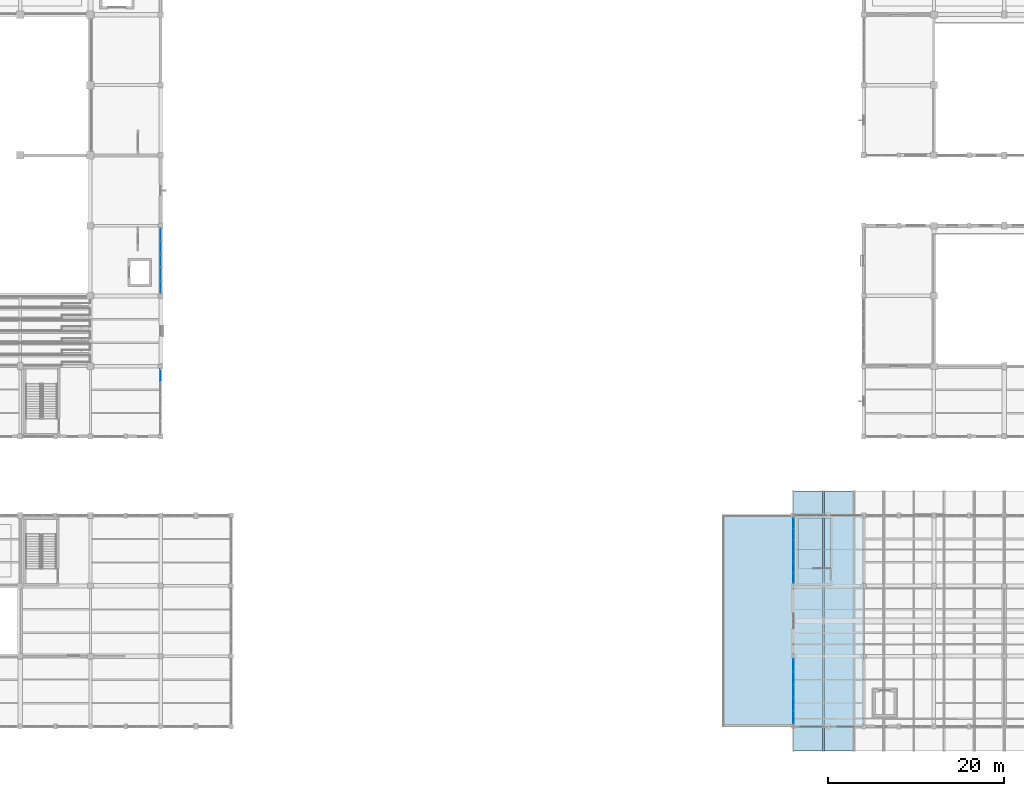
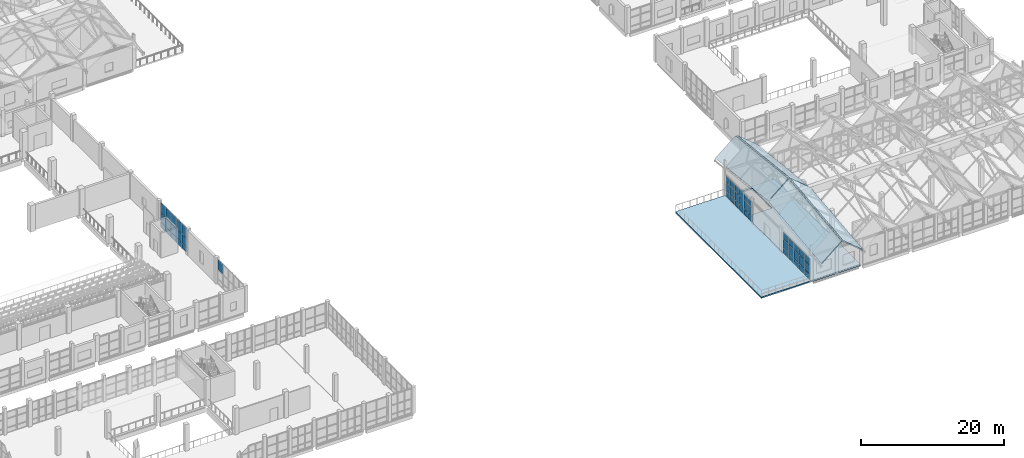
# One storey, part 121 of 183: 49 plates, 6 slabs, 4 elements without a shape of their own.
"""IFC4 building model written with IfcOpenShell, lengths in metres."""

from ifc_helpers import new_model, si_unit, direction, frame, origin, origin_2d, place, context, subcontext, project, spatial, polyline, rectangle, outline, extrude, material, layer, layer_set, type_object, element, aggregate, save


model = new_model("IFC4")

# Units and contexts
model_context = context("Model", 3, precision=1e-05, world=origin(), true_north=direction((0.0, 1.0)))
body_context = subcontext(model_context, "Body", "Model", "MODEL_VIEW")
ifc_project = project(units=[si_unit("LENGTHUNIT", "METRE"), si_unit("AREAUNIT", "SQUARE_METRE"), si_unit("VOLUMEUNIT", "CUBIC_METRE"), si_unit("PLANEANGLEUNIT", "RADIAN"), si_unit("MASSUNIT", "GRAM", prefix="KILO")], contexts=[model_context])

# Site, building, storey
site_placement = place(None, origin())
site = spatial("IfcSite", under=ifc_project, at=site_placement, CompositionType="ELEMENT")
building_placement = place(site_placement, origin())
building = spatial("IfcBuilding", under=site, at=building_placement, Name="Luwemba Playhouse", CompositionType="ELEMENT")
storey_placement = place(building_placement, frame((0.0, 0.0, 4.800048828125)))
storey = spatial("IfcBuildingStorey", under=building, at=storey_placement, Name="L01", CompositionType="ELEMENT", Elevation=4.800048828125)

# Curtain wall, plate
ifc_material_1 = material(Name="Solar-control double glazing", Category="glass")
curtain_wall_type_1 = type_object("IfcCurtainWallType", Name="CW-CW74", PredefinedType="USERDEFINED", material=ifc_material_1)
curtain_wall_1_placement = place(storey_placement, origin())
curtain_wall_1 = element("IfcCurtainWall", 1, at=curtain_wall_1_placement, inside=storey, type_object=curtain_wall_type_1, Name="L01 V1 unitised curtain wall 098", ObjectType="UNITISED GLAZING", PredefinedType="USERDEFINED")
ifc_layer_1 = layer(ifc_material_1, 0.02392578125)
ifc_layer_set_1 = layer_set([ifc_layer_1], Name="Solar-control double glazing")
plate_type_1 = type_object("IfcPlateType", Name="CWP-P1", PredefinedType="CURTAIN_PANEL", material=ifc_layer_set_1)
plate_1_placement = place(storey_placement, frame((52.0, 42.965087890625, 2.47998046875), z_axis=(0.0, 0.0, 1.0), x_axis=(0.0, -1.0, 0.0)))
plate_1 = element("IfcPlate", 2, at=plate_1_placement, type_object=plate_type_1, Name="CW74 panel 1.3", PredefinedType="CURTAIN_PANEL", context=body_context, shape_type="SweptSolid", body=[
    extrude(rectangle(XDim=1.39990234375, YDim=0.02392578125, at=origin_2d()), origin(), (0.0, 0.0, 1.0), 1.7099609375),
])
aggregate(curtain_wall_1, [plate_1])

# Curtain wall, plates
curtain_wall_type_2 = type_object("IfcCurtainWallType", Name="CW-CW116", PredefinedType="USERDEFINED", material=ifc_material_1)
curtain_wall_2_placement = place(storey_placement, origin())
curtain_wall_2 = element("IfcCurtainWall", 3, at=curtain_wall_2_placement, inside=storey, type_object=curtain_wall_type_2, Name="L01 V5E unitised curtain wall 154", ObjectType="UNITISED GLAZING", PredefinedType="USERDEFINED")
plate_2_placement = place(storey_placement, frame((124.0, 19.910888671875, 0.059814453125), z_axis=(0.0, 0.0, 1.0), x_axis=(0.0, 1.0, 0.0)))
plate_2 = element("IfcPlate", 4, at=plate_2_placement, type_object=plate_type_1, Name="CW116 panel 1.1", PredefinedType="CURTAIN_PANEL", context=body_context, shape_type="SweptSolid", body=[
    extrude(rectangle(XDim=1.151611328125, YDim=0.02392578125, at=origin_2d()), origin(), (0.0, 0.0, 1.0), 0.81005859375),
])
plate_3_placement = place(storey_placement, frame((124.0, 19.910888671875, 0.93017578125), z_axis=(0.0, 0.0, 1.0), x_axis=(0.0, 1.0, 0.0)))
plate_3 = element("IfcPlate", 5, at=plate_3_placement, type_object=plate_type_1, Name="CW116 panel 1.2", PredefinedType="CURTAIN_PANEL", context=body_context, shape_type="SweptSolid", body=[
    extrude(rectangle(XDim=1.151611328125, YDim=0.02392578125, at=origin_2d()), origin(), (0.0, 0.0, 1.0), 1.489990234375),
])
plate_4_placement = place(storey_placement, frame((124.0, 19.910888671875, 2.47998046875), z_axis=(0.0, 0.0, 1.0), x_axis=(0.0, 1.0, 0.0)))
plate_4 = element("IfcPlate", 6, at=plate_4_placement, type_object=plate_type_1, Name="CW116 panel 1.3", PredefinedType="CURTAIN_PANEL", context=body_context, shape_type="SweptSolid", body=[
    extrude(rectangle(XDim=1.151611328125, YDim=0.02392578125, at=origin_2d()), origin(), (0.0, 0.0, 1.0), 1.044921875),
])
plate_5_placement = place(storey_placement, frame((124.0, 21.137451171875, 0.059814453125), z_axis=(0.0, 0.0, 1.0), x_axis=(0.0, 1.0, 0.0)))
plate_5 = element("IfcPlate", 7, at=plate_5_placement, type_object=plate_type_1, Name="CW116 panel 2.1", PredefinedType="CURTAIN_PANEL", context=body_context, shape_type="SweptSolid", body=[
    extrude(rectangle(XDim=1.181640625, YDim=0.02392578125, at=origin_2d()), origin(), (0.0, 0.0, 1.0), 0.81005859375),
])
plate_6_placement = place(storey_placement, frame((124.0, 21.137451171875, 0.93017578125), z_axis=(0.0, 0.0, 1.0), x_axis=(0.0, 1.0, 0.0)))
plate_6 = element("IfcPlate", 8, at=plate_6_placement, type_object=plate_type_1, Name="CW116 panel 2.2", PredefinedType="CURTAIN_PANEL", context=body_context, shape_type="SweptSolid", body=[
    extrude(rectangle(XDim=1.181640625, YDim=0.02392578125, at=origin_2d()), origin(), (0.0, 0.0, 1.0), 1.489990234375),
])
plate_7_placement = place(storey_placement, frame((124.0, 21.137451171875, 2.47998046875), z_axis=(0.0, 0.0, 1.0), x_axis=(0.0, 1.0, 0.0)))
plate_7 = element("IfcPlate", 9, at=plate_7_placement, type_object=plate_type_1, Name="CW116 panel 2.3", PredefinedType="CURTAIN_PANEL", context=body_context, shape_type="SweptSolid", body=[
    extrude(rectangle(XDim=1.181640625, YDim=0.02392578125, at=origin_2d()), origin(), (0.0, 0.0, 1.0), 1.044921875),
])
plate_8_placement = place(storey_placement, frame((124.0, 22.379150390625, 0.059814453125), z_axis=(0.0, 0.0, 1.0), x_axis=(0.0, 1.0, 0.0)))
plate_8 = element("IfcPlate", 10, at=plate_8_placement, type_object=plate_type_1, Name="CW116 panel 3.1", PredefinedType="CURTAIN_PANEL", context=body_context, shape_type="SweptSolid", body=[
    extrude(rectangle(XDim=1.181640625, YDim=0.02392578125, at=origin_2d()), origin(), (0.0, 0.0, 1.0), 0.81005859375),
])
plate_9_placement = place(storey_placement, frame((124.0, 22.379150390625, 0.93017578125), z_axis=(0.0, 0.0, 1.0), x_axis=(0.0, 1.0, 0.0)))
plate_9 = element("IfcPlate", 11, at=plate_9_placement, type_object=plate_type_1, Name="CW116 panel 3.2", PredefinedType="CURTAIN_PANEL", context=body_context, shape_type="SweptSolid", body=[
    extrude(rectangle(XDim=1.181640625, YDim=0.02392578125, at=origin_2d()), origin(), (0.0, 0.0, 1.0), 1.489990234375),
])
plate_10_placement = place(storey_placement, frame((124.0, 22.379150390625, 2.47998046875), z_axis=(0.0, 0.0, 1.0), x_axis=(0.0, 1.0, 0.0)))
plate_10 = element("IfcPlate", 12, at=plate_10_placement, type_object=plate_type_1, Name="CW116 panel 3.3", PredefinedType="CURTAIN_PANEL", context=body_context, shape_type="SweptSolid", body=[
    extrude(rectangle(XDim=1.181640625, YDim=0.02392578125, at=origin_2d()), origin(), (0.0, 0.0, 1.0), 1.044921875),
])
plate_11_placement = place(storey_placement, frame((124.0, 23.620849609375, 0.059814453125), z_axis=(0.0, 0.0, 1.0), x_axis=(0.0, 1.0, 0.0)))
plate_11 = element("IfcPlate", 13, at=plate_11_placement, type_object=plate_type_1, Name="CW116 panel 4.1", PredefinedType="CURTAIN_PANEL", context=body_context, shape_type="SweptSolid", body=[
    extrude(rectangle(XDim=1.181640625, YDim=0.02392578125, at=origin_2d()), origin(), (0.0, 0.0, 1.0), 0.81005859375),
])
plate_12_placement = place(storey_placement, frame((124.0, 23.620849609375, 0.93017578125), z_axis=(0.0, 0.0, 1.0), x_axis=(0.0, 1.0, 0.0)))
plate_12 = element("IfcPlate", 14, at=plate_12_placement, type_object=plate_type_1, Name="CW116 panel 4.2", PredefinedType="CURTAIN_PANEL", context=body_context, shape_type="SweptSolid", body=[
    extrude(rectangle(XDim=1.181640625, YDim=0.02392578125, at=origin_2d()), origin(), (0.0, 0.0, 1.0), 1.489990234375),
])
plate_13_placement = place(storey_placement, frame((124.0, 23.620849609375, 2.47998046875), z_axis=(0.0, 0.0, 1.0), x_axis=(0.0, 1.0, 0.0)))
plate_13 = element("IfcPlate", 15, at=plate_13_placement, type_object=plate_type_1, Name="CW116 panel 4.3", PredefinedType="CURTAIN_PANEL", context=body_context, shape_type="SweptSolid", body=[
    extrude(rectangle(XDim=1.181640625, YDim=0.02392578125, at=origin_2d()), origin(), (0.0, 0.0, 1.0), 1.044921875),
])
plate_14_placement = place(storey_placement, frame((124.0, 24.862548828125, 0.059814453125), z_axis=(0.0, 0.0, 1.0), x_axis=(0.0, 1.0, 0.0)))
plate_14 = element("IfcPlate", 16, at=plate_14_placement, type_object=plate_type_1, Name="CW116 panel 5.1", PredefinedType="CURTAIN_PANEL", context=body_context, shape_type="SweptSolid", body=[
    extrude(rectangle(XDim=1.181640625, YDim=0.02392578125, at=origin_2d()), origin(), (0.0, 0.0, 1.0), 0.81005859375),
])
plate_15_placement = place(storey_placement, frame((124.0, 24.862548828125, 0.93017578125), z_axis=(0.0, 0.0, 1.0), x_axis=(0.0, 1.0, 0.0)))
plate_15 = element("IfcPlate", 17, at=plate_15_placement, type_object=plate_type_1, Name="CW116 panel 5.2", PredefinedType="CURTAIN_PANEL", context=body_context, shape_type="SweptSolid", body=[
    extrude(rectangle(XDim=1.181640625, YDim=0.02392578125, at=origin_2d()), origin(), (0.0, 0.0, 1.0), 1.489990234375),
])
plate_16_placement = place(storey_placement, frame((124.0, 24.862548828125, 2.47998046875), z_axis=(0.0, 0.0, 1.0), x_axis=(0.0, 1.0, 0.0)))
plate_16 = element("IfcPlate", 18, at=plate_16_placement, type_object=plate_type_1, Name="CW116 panel 5.3", PredefinedType="CURTAIN_PANEL", context=body_context, shape_type="SweptSolid", body=[
    extrude(rectangle(XDim=1.181640625, YDim=0.02392578125, at=origin_2d()), origin(), (0.0, 0.0, 1.0), 1.044921875),
])
plate_17_placement = place(storey_placement, frame((124.0, 26.089111328125, 0.059814453125), z_axis=(0.0, 0.0, 1.0), x_axis=(0.0, 1.0, 0.0)))
plate_17 = element("IfcPlate", 19, at=plate_17_placement, type_object=plate_type_1, Name="CW116 panel 6.1", PredefinedType="CURTAIN_PANEL", context=body_context, shape_type="SweptSolid", body=[
    extrude(rectangle(XDim=1.151611328125, YDim=0.02392578125, at=origin_2d()), origin(), (0.0, 0.0, 1.0), 0.81005859375),
])
plate_18_placement = place(storey_placement, frame((124.0, 26.089111328125, 0.93017578125), z_axis=(0.0, 0.0, 1.0), x_axis=(0.0, 1.0, 0.0)))
plate_18 = element("IfcPlate", 20, at=plate_18_placement, type_object=plate_type_1, Name="CW116 panel 6.2", PredefinedType="CURTAIN_PANEL", context=body_context, shape_type="SweptSolid", body=[
    extrude(rectangle(XDim=1.151611328125, YDim=0.02392578125, at=origin_2d()), origin(), (0.0, 0.0, 1.0), 1.489990234375),
])
plate_19_placement = place(storey_placement, frame((124.0, 26.089111328125, 2.47998046875), z_axis=(0.0, 0.0, 1.0), x_axis=(0.0, 1.0, 0.0)))
plate_19 = element("IfcPlate", 21, at=plate_19_placement, type_object=plate_type_1, Name="CW116 panel 6.3", PredefinedType="CURTAIN_PANEL", context=body_context, shape_type="SweptSolid", body=[
    extrude(rectangle(XDim=1.151611328125, YDim=0.02392578125, at=origin_2d()), origin(), (0.0, 0.0, 1.0), 1.044921875),
])
aggregate(curtain_wall_2, [plate_2, plate_3, plate_4, plate_5, plate_6, plate_7, plate_8, plate_9, plate_10, plate_11, plate_12, plate_13, plate_14, plate_15, plate_16, plate_17, plate_18, plate_19])

curtain_wall_type_3 = type_object("IfcCurtainWallType", Name="CW-CW73", PredefinedType="USERDEFINED", material=ifc_material_1)
curtain_wall_3_placement = place(storey_placement, origin())
curtain_wall_3 = element("IfcCurtainWall", 22, at=curtain_wall_3_placement, inside=storey, type_object=curtain_wall_type_3, Name="L01 V1 unitised curtain wall 097", ObjectType="UNITISED GLAZING", PredefinedType="USERDEFINED")
ifc_layer_2 = layer(ifc_material_1, 0.035888671875)
ifc_layer_set_2 = layer_set([ifc_layer_2], Name="Solar-control double glazing")
plate_type_2 = type_object("IfcPlateType", Name="CWP-P4", PredefinedType="CURTAIN_PANEL", material=ifc_layer_set_2)
plate_20_placement = place(storey_placement, frame((52.0, 58.96240234375, 0.0498046875), z_axis=(0.0, 0.0, 1.0), x_axis=(0.0, -1.0, 0.0)))
plate_20 = element("IfcPlate", 23, at=plate_20_placement, type_object=plate_type_2, Name="CW73 panel 1.1", PredefinedType="CURTAIN_PANEL", context=body_context, shape_type="SweptSolid", body=[
    extrude(rectangle(XDim=1.385009765625, YDim=0.035888671875, at=origin_2d()), origin(), (0.0, 0.0, 1.0), 0.824951171875),
])
plate_21_placement = place(storey_placement, frame((52.0, 58.96240234375, 0.925048828125), z_axis=(0.0, 0.0, 1.0), x_axis=(0.0, -1.0, 0.0)))
plate_21 = element("IfcPlate", 24, at=plate_21_placement, type_object=plate_type_2, Name="CW73 panel 1.2", PredefinedType="CURTAIN_PANEL", context=body_context, shape_type="SweptSolid", body=[
    extrude(rectangle(XDim=1.385009765625, YDim=0.035888671875, at=origin_2d()), origin(), (0.0, 0.0, 1.0), 1.5),
])
plate_22_placement = place(storey_placement, frame((52.0, 58.96240234375, 2.474853515625), z_axis=(0.0, 0.0, 1.0), x_axis=(0.0, -1.0, 0.0)))
plate_22 = element("IfcPlate", 25, at=plate_22_placement, type_object=plate_type_2, Name="CW73 panel 1.3", PredefinedType="CURTAIN_PANEL", context=body_context, shape_type="SweptSolid", body=[
    extrude(rectangle(XDim=1.385009765625, YDim=0.035888671875, at=origin_2d()), origin(), (0.0, 0.0, 1.0), 1.72509765625),
])
plate_23_placement = place(storey_placement, frame((52.0, 57.489990234375, 0.0498046875), z_axis=(0.0, 0.0, 1.0), x_axis=(0.0, -1.0, 0.0)))
plate_23 = element("IfcPlate", 26, at=plate_23_placement, type_object=plate_type_2, Name="CW73 panel 2.1", PredefinedType="CURTAIN_PANEL", context=body_context, shape_type="SweptSolid", body=[
    extrude(rectangle(XDim=1.419921875, YDim=0.035888671875, at=origin_2d()), origin(), (0.0, 0.0, 1.0), 0.824951171875),
])
plate_24_placement = place(storey_placement, frame((52.0, 57.489990234375, 0.925048828125), z_axis=(0.0, 0.0, 1.0), x_axis=(0.0, -1.0, 0.0)))
plate_24 = element("IfcPlate", 27, at=plate_24_placement, type_object=plate_type_2, Name="CW73 panel 2.2", PredefinedType="CURTAIN_PANEL", context=body_context, shape_type="SweptSolid", body=[
    extrude(rectangle(XDim=1.419921875, YDim=0.035888671875, at=origin_2d()), origin(), (0.0, 0.0, 1.0), 1.5),
])
plate_25_placement = place(storey_placement, frame((52.0, 57.489990234375, 2.474853515625), z_axis=(0.0, 0.0, 1.0), x_axis=(0.0, -1.0, 0.0)))
plate_25 = element("IfcPlate", 28, at=plate_25_placement, type_object=plate_type_2, Name="CW73 panel 2.3", PredefinedType="CURTAIN_PANEL", context=body_context, shape_type="SweptSolid", body=[
    extrude(rectangle(XDim=1.419921875, YDim=0.035888671875, at=origin_2d()), origin(), (0.0, 0.0, 1.0), 1.72509765625),
])
plate_26_placement = place(storey_placement, frame((52.0, 56.0, 0.0498046875), z_axis=(0.0, 0.0, 1.0), x_axis=(0.0, -1.0, 0.0)))
plate_26 = element("IfcPlate", 29, at=plate_26_placement, type_object=plate_type_2, Name="CW73 panel 3.1", PredefinedType="CURTAIN_PANEL", context=body_context, shape_type="SweptSolid", body=[
    extrude(rectangle(XDim=1.419921875, YDim=0.035888671875, at=origin_2d()), origin(), (0.0, 0.0, 1.0), 0.824951171875),
])
plate_27_placement = place(storey_placement, frame((52.0, 56.0, 0.925048828125), z_axis=(0.0, 0.0, 1.0), x_axis=(0.0, -1.0, 0.0)))
plate_27 = element("IfcPlate", 30, at=plate_27_placement, type_object=plate_type_2, Name="CW73 panel 3.2", PredefinedType="CURTAIN_PANEL", context=body_context, shape_type="SweptSolid", body=[
    extrude(rectangle(XDim=1.419921875, YDim=0.035888671875, at=origin_2d()), origin(), (0.0, 0.0, 1.0), 1.5),
])
plate_28_placement = place(storey_placement, frame((52.0, 56.0, 2.474853515625), z_axis=(0.0, 0.0, 1.0), x_axis=(0.0, -1.0, 0.0)))
plate_28 = element("IfcPlate", 31, at=plate_28_placement, type_object=plate_type_2, Name="CW73 panel 3.3", PredefinedType="CURTAIN_PANEL", context=body_context, shape_type="SweptSolid", body=[
    extrude(rectangle(XDim=1.419921875, YDim=0.035888671875, at=origin_2d()), origin(), (0.0, 0.0, 1.0), 1.72509765625),
])
plate_29_placement = place(storey_placement, frame((52.0, 54.510009765625, 0.0498046875), z_axis=(0.0, 0.0, 1.0), x_axis=(0.0, -1.0, 0.0)))
plate_29 = element("IfcPlate", 32, at=plate_29_placement, type_object=plate_type_2, Name="CW73 panel 4.1", PredefinedType="CURTAIN_PANEL", context=body_context, shape_type="SweptSolid", body=[
    extrude(rectangle(XDim=1.419921875, YDim=0.035888671875, at=origin_2d()), origin(), (0.0, 0.0, 1.0), 0.824951171875),
])
plate_30_placement = place(storey_placement, frame((52.0, 54.510009765625, 0.925048828125), z_axis=(0.0, 0.0, 1.0), x_axis=(0.0, -1.0, 0.0)))
plate_30 = element("IfcPlate", 33, at=plate_30_placement, type_object=plate_type_2, Name="CW73 panel 4.2", PredefinedType="CURTAIN_PANEL", context=body_context, shape_type="SweptSolid", body=[
    extrude(rectangle(XDim=1.419921875, YDim=0.035888671875, at=origin_2d()), origin(), (0.0, 0.0, 1.0), 1.5),
])
plate_31_placement = place(storey_placement, frame((52.0, 54.510009765625, 2.474853515625), z_axis=(0.0, 0.0, 1.0), x_axis=(0.0, -1.0, 0.0)))
plate_31 = element("IfcPlate", 34, at=plate_31_placement, type_object=plate_type_2, Name="CW73 panel 4.3", PredefinedType="CURTAIN_PANEL", context=body_context, shape_type="SweptSolid", body=[
    extrude(rectangle(XDim=1.419921875, YDim=0.035888671875, at=origin_2d()), origin(), (0.0, 0.0, 1.0), 1.72509765625),
])
plate_32_placement = place(storey_placement, frame((52.0, 53.03759765625, 0.0498046875), z_axis=(0.0, 0.0, 1.0), x_axis=(0.0, -1.0, 0.0)))
plate_32 = element("IfcPlate", 35, at=plate_32_placement, type_object=plate_type_2, Name="CW73 panel 5.1", PredefinedType="CURTAIN_PANEL", context=body_context, shape_type="SweptSolid", body=[
    extrude(rectangle(XDim=1.385009765625, YDim=0.035888671875, at=origin_2d()), origin(), (0.0, 0.0, 1.0), 0.824951171875),
])
plate_33_placement = place(storey_placement, frame((52.0, 53.03759765625, 0.925048828125), z_axis=(0.0, 0.0, 1.0), x_axis=(0.0, -1.0, 0.0)))
plate_33 = element("IfcPlate", 36, at=plate_33_placement, type_object=plate_type_2, Name="CW73 panel 5.2", PredefinedType="CURTAIN_PANEL", context=body_context, shape_type="SweptSolid", body=[
    extrude(rectangle(XDim=1.385009765625, YDim=0.035888671875, at=origin_2d()), origin(), (0.0, 0.0, 1.0), 1.5),
])
plate_34_placement = place(storey_placement, frame((52.0, 53.03759765625, 2.474853515625), z_axis=(0.0, 0.0, 1.0), x_axis=(0.0, -1.0, 0.0)))
plate_34 = element("IfcPlate", 37, at=plate_34_placement, type_object=plate_type_2, Name="CW73 panel 5.3", PredefinedType="CURTAIN_PANEL", context=body_context, shape_type="SweptSolid", body=[
    extrude(rectangle(XDim=1.385009765625, YDim=0.035888671875, at=origin_2d()), origin(), (0.0, 0.0, 1.0), 1.72509765625),
])
aggregate(curtain_wall_3, [plate_20, plate_21, plate_22, plate_23, plate_24, plate_25, plate_26, plate_27, plate_28, plate_29, plate_30, plate_31, plate_32, plate_33, plate_34])

curtain_wall_type_4 = type_object("IfcCurtainWallType", Name="CW-CW115", PredefinedType="USERDEFINED", material=ifc_material_1)
curtain_wall_4_placement = place(storey_placement, origin())
curtain_wall_4 = element("IfcCurtainWall", 38, at=curtain_wall_4_placement, inside=storey, type_object=curtain_wall_type_4, Name="L01 V5E unitised curtain wall 153", ObjectType="UNITISED GLAZING", PredefinedType="USERDEFINED")
plate_35_placement = place(storey_placement, frame((124.0, 4.06005859375, 0.0498046875), z_axis=(0.0, 0.0, 1.0), x_axis=(0.0, 1.0, 0.0)))
plate_35 = element("IfcPlate", 39, at=plate_35_placement, type_object=plate_type_2, Name="CW115 panel 1.1", PredefinedType="CURTAIN_PANEL", context=body_context, shape_type="SweptSolid", body=[
    extrude(rectangle(XDim=1.3798828125, YDim=0.035888671875, at=origin_2d()), origin(), (0.0, 0.0, 1.0), 0.824951171875),
])
plate_36_placement = place(storey_placement, frame((124.0, 4.06005859375, 0.925048828125), z_axis=(0.0, 0.0, 1.0), x_axis=(0.0, 1.0, 0.0)))
plate_36 = element("IfcPlate", 40, at=plate_36_placement, type_object=plate_type_2, Name="CW115 panel 1.2", PredefinedType="CURTAIN_PANEL", context=body_context, shape_type="SweptSolid", body=[
    extrude(rectangle(XDim=1.3798828125, YDim=0.035888671875, at=origin_2d()), origin(), (0.0, 0.0, 1.0), 1.5),
])
plate_37_placement = place(storey_placement, frame((124.0, 4.06005859375, 2.474853515625), z_axis=(0.0, 0.0, 1.0), x_axis=(0.0, 1.0, 0.0)))
plate_37 = element("IfcPlate", 41, at=plate_37_placement, type_object=plate_type_2, Name="CW115 panel 1.3", PredefinedType="CURTAIN_PANEL", context=body_context, shape_type="SweptSolid", body=[
    extrude(rectangle(XDim=1.3798828125, YDim=0.035888671875, at=origin_2d()), origin(), (0.0, 0.0, 1.0), 1.06005859375),
])
plate_38_placement = place(storey_placement, frame((124.0, 5.527587890625, 0.0498046875), z_axis=(0.0, 0.0, 1.0), x_axis=(0.0, 1.0, 0.0)))
plate_38 = element("IfcPlate", 42, at=plate_38_placement, type_object=plate_type_2, Name="CW115 panel 2.1", PredefinedType="CURTAIN_PANEL", context=body_context, shape_type="SweptSolid", body=[
    extrude(rectangle(XDim=1.4150390625, YDim=0.035888671875, at=origin_2d()), origin(), (0.0, 0.0, 1.0), 0.824951171875),
])
plate_39_placement = place(storey_placement, frame((124.0, 5.527587890625, 0.925048828125), z_axis=(0.0, 0.0, 1.0), x_axis=(0.0, 1.0, 0.0)))
plate_39 = element("IfcPlate", 43, at=plate_39_placement, type_object=plate_type_2, Name="CW115 panel 2.2", PredefinedType="CURTAIN_PANEL", context=body_context, shape_type="SweptSolid", body=[
    extrude(rectangle(XDim=1.4150390625, YDim=0.035888671875, at=origin_2d()), origin(), (0.0, 0.0, 1.0), 1.5),
])
plate_40_placement = place(storey_placement, frame((124.0, 5.527587890625, 2.474853515625), z_axis=(0.0, 0.0, 1.0), x_axis=(0.0, 1.0, 0.0)))
plate_40 = element("IfcPlate", 44, at=plate_40_placement, type_object=plate_type_2, Name="CW115 panel 2.3", PredefinedType="CURTAIN_PANEL", context=body_context, shape_type="SweptSolid", body=[
    extrude(rectangle(XDim=1.4150390625, YDim=0.035888671875, at=origin_2d()), origin(), (0.0, 0.0, 1.0), 1.06005859375),
])
plate_41_placement = place(storey_placement, frame((124.0, 7.012451171875, 0.0498046875), z_axis=(0.0, 0.0, 1.0), x_axis=(0.0, 1.0, 0.0)))
plate_41 = element("IfcPlate", 45, at=plate_41_placement, type_object=plate_type_2, Name="CW115 panel 3.1", PredefinedType="CURTAIN_PANEL", context=body_context, shape_type="SweptSolid", body=[
    extrude(rectangle(XDim=1.4150390625, YDim=0.035888671875, at=origin_2d()), origin(), (0.0, 0.0, 1.0), 0.824951171875),
])
plate_42_placement = place(storey_placement, frame((124.0, 7.012451171875, 0.925048828125), z_axis=(0.0, 0.0, 1.0), x_axis=(0.0, 1.0, 0.0)))
plate_42 = element("IfcPlate", 46, at=plate_42_placement, type_object=plate_type_2, Name="CW115 panel 3.2", PredefinedType="CURTAIN_PANEL", context=body_context, shape_type="SweptSolid", body=[
    extrude(rectangle(XDim=1.4150390625, YDim=0.035888671875, at=origin_2d()), origin(), (0.0, 0.0, 1.0), 1.5),
])
plate_43_placement = place(storey_placement, frame((124.0, 7.012451171875, 2.474853515625), z_axis=(0.0, 0.0, 1.0), x_axis=(0.0, 1.0, 0.0)))
plate_43 = element("IfcPlate", 47, at=plate_43_placement, type_object=plate_type_2, Name="CW115 panel 3.3", PredefinedType="CURTAIN_PANEL", context=body_context, shape_type="SweptSolid", body=[
    extrude(rectangle(XDim=1.4150390625, YDim=0.035888671875, at=origin_2d()), origin(), (0.0, 0.0, 1.0), 1.06005859375),
])
plate_44_placement = place(storey_placement, frame((124.0, 8.49755859375, 0.0498046875), z_axis=(0.0, 0.0, 1.0), x_axis=(0.0, 1.0, 0.0)))
plate_44 = element("IfcPlate", 48, at=plate_44_placement, type_object=plate_type_2, Name="CW115 panel 4.1", PredefinedType="CURTAIN_PANEL", context=body_context, shape_type="SweptSolid", body=[
    extrude(rectangle(XDim=1.4150390625, YDim=0.035888671875, at=origin_2d()), origin(), (0.0, 0.0, 1.0), 0.824951171875),
])
plate_45_placement = place(storey_placement, frame((124.0, 8.49755859375, 0.925048828125), z_axis=(0.0, 0.0, 1.0), x_axis=(0.0, 1.0, 0.0)))
plate_45 = element("IfcPlate", 49, at=plate_45_placement, type_object=plate_type_2, Name="CW115 panel 4.2", PredefinedType="CURTAIN_PANEL", context=body_context, shape_type="SweptSolid", body=[
    extrude(rectangle(XDim=1.4150390625, YDim=0.035888671875, at=origin_2d()), origin(), (0.0, 0.0, 1.0), 1.5),
])
plate_46_placement = place(storey_placement, frame((124.0, 8.49755859375, 2.474853515625), z_axis=(0.0, 0.0, 1.0), x_axis=(0.0, 1.0, 0.0)))
plate_46 = element("IfcPlate", 50, at=plate_46_placement, type_object=plate_type_2, Name="CW115 panel 4.3", PredefinedType="CURTAIN_PANEL", context=body_context, shape_type="SweptSolid", body=[
    extrude(rectangle(XDim=1.4150390625, YDim=0.035888671875, at=origin_2d()), origin(), (0.0, 0.0, 1.0), 1.06005859375),
])
plate_47_placement = place(storey_placement, frame((124.0, 9.965087890625, 0.0498046875), z_axis=(0.0, 0.0, 1.0), x_axis=(0.0, 1.0, 0.0)))
plate_47 = element("IfcPlate", 51, at=plate_47_placement, type_object=plate_type_2, Name="CW115 panel 5.1", PredefinedType="CURTAIN_PANEL", context=body_context, shape_type="SweptSolid", body=[
    extrude(rectangle(XDim=1.3798828125, YDim=0.035888671875, at=origin_2d()), origin(), (0.0, 0.0, 1.0), 0.824951171875),
])
plate_48_placement = place(storey_placement, frame((124.0, 9.965087890625, 0.925048828125), z_axis=(0.0, 0.0, 1.0), x_axis=(0.0, 1.0, 0.0)))
plate_48 = element("IfcPlate", 52, at=plate_48_placement, type_object=plate_type_2, Name="CW115 panel 5.2", PredefinedType="CURTAIN_PANEL", context=body_context, shape_type="SweptSolid", body=[
    extrude(rectangle(XDim=1.3798828125, YDim=0.035888671875, at=origin_2d()), origin(), (0.0, 0.0, 1.0), 1.5),
])
plate_49_placement = place(storey_placement, frame((124.0, 9.965087890625, 2.474853515625), z_axis=(0.0, 0.0, 1.0), x_axis=(0.0, 1.0, 0.0)))
plate_49 = element("IfcPlate", 53, at=plate_49_placement, type_object=plate_type_2, Name="CW115 panel 5.3", PredefinedType="CURTAIN_PANEL", context=body_context, shape_type="SweptSolid", body=[
    extrude(rectangle(XDim=1.3798828125, YDim=0.035888671875, at=origin_2d()), origin(), (0.0, 0.0, 1.0), 1.06005859375),
])
aggregate(curtain_wall_4, [plate_35, plate_36, plate_37, plate_38, plate_39, plate_40, plate_41, plate_42, plate_43, plate_44, plate_45, plate_46, plate_47, plate_48, plate_49])

# Slabs
ifc_material_2 = material(Name="Concrete C40/50", Category="concrete")
ifc_layer_3 = layer(ifc_material_2, 0.25)
ifc_layer_set_3 = layer_set([ifc_layer_3], Name="Concrete C40/50")
slab_type_1 = type_object("IfcSlabType", Name="SLB-FLR-250", PredefinedType="FLOOR", material=ifc_layer_set_3)
slab_1_placement = place(storey_placement, frame((0.0, 0.0, -0.25)))
element("IfcSlab", 54, at=slab_1_placement, inside=storey, type_object=slab_type_1, Name="L01 V5E structural floor slab-MJ", PredefinedType="FLOOR", context=body_context, shape_type="SweptSolid", body=[
    extrude(outline(polyline([(131.969970703125, 27.0), (131.969970703125, 3.0), (124.0, 3.0), (124.0, 27.0), (131.969970703125, 27.0)]), holes=[polyline([(128.14990234375, 21.0400390625), (128.14990234375, 26.659912109375), (124.64990234375, 26.659912109375), (124.64990234375, 21.0400390625), (128.14990234375, 21.0400390625)])]), origin(), (0.0, 0.0, 1.0), 0.25),
])
ifc_material_3 = material(Name="Concrete C32/40", Category="concrete")
ifc_layer_4 = layer(ifc_material_3, 0.179931640625)
ifc_layer_set_4 = layer_set([ifc_layer_4], Name="Concrete C32/40")
slab_type_2 = type_object("IfcSlabType", Name="SLB-ROOF-180", PredefinedType="ROOF", material=ifc_layer_set_4)
slab_2_placement = place(storey_placement, frame((124.0400390625, 0.199951171875, 4.57958984375), z_axis=(-0.637697209922, -0.085736098024, 0.765500875214), x_axis=(0.76832995697, 0.0, 0.640053964304)))
element("IfcSlab", 55, at=slab_2_placement, inside=storey, type_object=slab_type_2, Name="RF-V5E pleated roof facet 1S", PredefinedType="ROOF", context=body_context, shape_type="SweptSolid", body=[
    extrude(outline(polyline([(0.0, 0.0), (4.234719835999197, 0.0), (5.291371424531113, 14.794465204698161), (1.0566515885319163, 14.794465204698161), (0.0, 0.0)])), origin(), (0.0, 0.0, -1.0), 0.179931640625),
])
slab_3_placement = place(storey_placement, frame((124.0400390625, 15.06005859375, 6.23046875), z_axis=(-0.637697209922, 0.085736098024, 0.765500875214), x_axis=(0.76832995697, 0.0, 0.640053964304)))
element("IfcSlab", 56, at=slab_3_placement, inside=storey, type_object=slab_type_2, Name="RF-V5E pleated roof facet 1N", PredefinedType="ROOF", context=body_context, shape_type="SweptSolid", body=[
    extrude(outline(polyline([(0.0, 0.0), (4.234719835999197, 0.0), (3.17806824746728, 14.794465204698161), (-1.0566515885319163, 14.794465204698161), (0.0, 0.0)])), origin(), (0.0, 0.0, -1.0), 0.179931640625),
])
slab_4_placement = place(storey_placement, frame((127.563720703125, 0.199951171875, 7.289794921875), z_axis=(0.637674129962, -0.085744485828, 0.765519161829), x_axis=(0.768348763604, -1.892269e-06, -0.640031387875)))
element("IfcSlab", 57, at=slab_4_placement, inside=storey, type_object=slab_type_2, Name="RF-V5E pleated roof facet 2S", PredefinedType="ROOF", context=body_context, shape_type="SweptSolid", body=[
    extrude(outline(polyline([(0.0, 0.0), (4.234375991353099, 0.0), (3.1775775240805877, 14.794481958359684), (-1.0566422096094557, 14.794465874262267), (0.0, 0.0)])), origin(), (0.0, 0.0, -1.0), 0.179931640625),
])
slab_5_placement = place(storey_placement, frame((127.563720703125, 15.06005859375, 8.940673828125), z_axis=(0.637674129962, 0.085744485828, 0.765519161829), x_axis=(0.768348972067, -1.892339e-06, -0.640031137617)))
element("IfcSlab", 58, at=slab_5_placement, inside=storey, type_object=slab_type_2, Name="RF-V5E pleated roof facet 2N", PredefinedType="ROOF", context=body_context, shape_type="SweptSolid", body=[
    extrude(outline(polyline([(0.0, 0.0), (4.234219733720592, 0.0), (5.290962002700076, 14.794485972605193), (1.0565860113775263, 14.794469887914216), (0.0, 0.0)])), origin(), (0.0, 0.0, -1.0), 0.179931640625),
])
ifc_layer_5 = layer(ifc_material_2, 0.22998046875)
ifc_layer_set_5 = layer_set([ifc_layer_5], Name="Concrete C40/50")
slab_type_3 = type_object("IfcSlabType", Name="SLB-UPP-230", PredefinedType="FLOOR", material=ifc_layer_set_5)
slab_6_placement = place(storey_placement, frame((0.0, 0.0, -0.22998046875)))
element("IfcSlab", 59, at=slab_6_placement, inside=storey, type_object=slab_type_3, Name="L01 Forecourt Dining Terrace", PredefinedType="FLOOR", context=body_context, shape_type="SweptSolid", body=[
    extrude(outline(polyline([(116.0, 3.0), (124.0, 3.0), (124.0, 27.0), (116.0, 27.0), (116.0, 3.0)])), origin(), (0.0, 0.0, 1.0), 0.22998046875),
])

save(model, "model.ifc")
